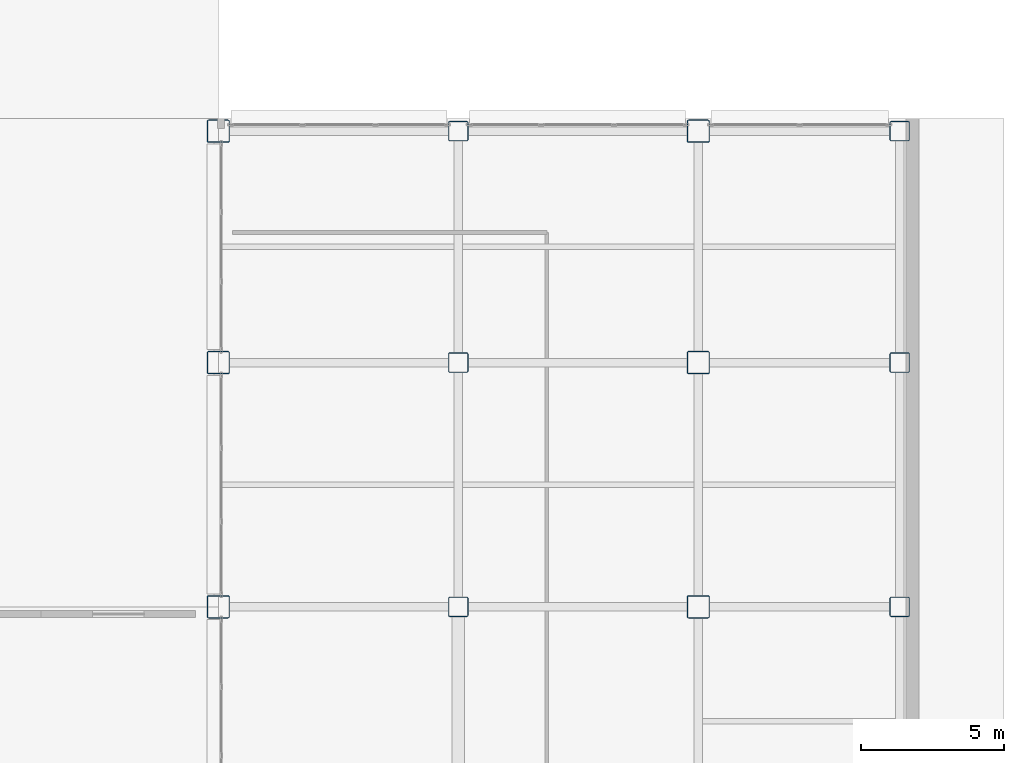
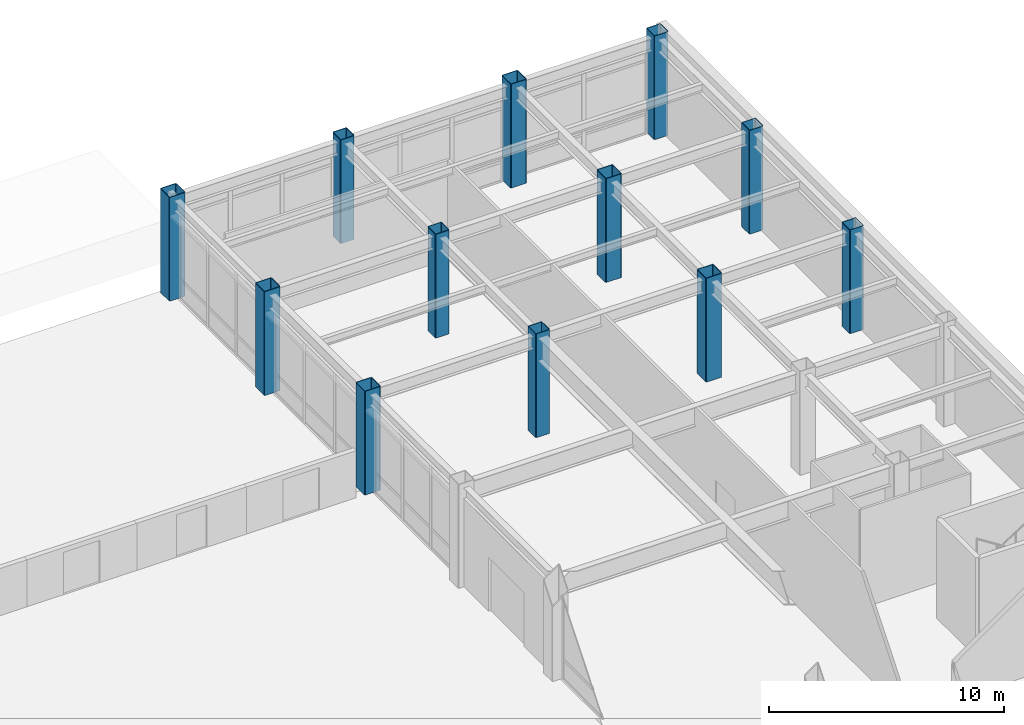
# One storey, part 7 of 165: 12 columns.
"""IFC4 building model written with IfcOpenShell, lengths in metres."""

from ifc_helpers import new_model, si_unit, direction, frame, origin, origin_2d, place, context, subcontext, project, spatial, hollow_rectangle, extrude, material, material_profile, profile_set, type_object, element, save


model = new_model("IFC4")

# Units and contexts
model_context = context("Model", 3, precision=1e-05, world=origin(), true_north=direction((0.0, 1.0)))
body_context = subcontext(model_context, "Body", "Model", "MODEL_VIEW")
ifc_project = project(units=[si_unit("LENGTHUNIT", "METRE"), si_unit("AREAUNIT", "SQUARE_METRE"), si_unit("VOLUMEUNIT", "CUBIC_METRE"), si_unit("PLANEANGLEUNIT", "RADIAN"), si_unit("MASSUNIT", "GRAM", prefix="KILO")], contexts=[model_context])

# Site, building, storey
site_placement = place(None, origin())
site = spatial("IfcSite", under=ifc_project, at=site_placement, CompositionType="ELEMENT")
building_placement = place(site_placement, origin())
building = spatial("IfcBuilding", under=site, at=building_placement, Name="Kazehara Bluff Congress Hotel", CompositionType="ELEMENT")
storey_placement = place(building_placement, origin())
storey = spatial("IfcBuildingStorey", under=building, at=storey_placement, Name="L00", CompositionType="ELEMENT", Elevation=0.0)

# Columns
ifc_material_1 = material(Name="Steel BCR295", Category="steel")
ifc_material_profile_1 = material_profile(ifc_material_1, hollow_rectangle(XDim=0.800048828125, YDim=0.800048828125, WallThickness=0.031982421875, InnerFilletRadius=0.031982421875, OuterFilletRadius=0.06396484375, at=origin_2d()))
ifc_profile_set_1 = profile_set([ifc_material_profile_1], Name="Steel BCR295")
column_type_1 = type_object("IfcColumnType", Name="TP-C-02", PredefinedType="COLUMN", material=ifc_profile_set_1)
for number, where, z_axis, x_axis, name in (
    (1, (143.699951171875, 96.89990234375, 0.0), (0.0, 0.0, 1.0), (1.0, 0.0, 0.0), "L00 column C-02 (143.70,96.90)"),
    (2, (143.699951171875, 105.449951171875, 0.0), (0.0, 0.0, 1.0), (1.0, 0.0, 0.0), "L00 column C-02 (143.70,105.45)"),
    (3, (143.699951171875, 113.550048828125, 0.0), (0.0, 0.0, 1.0), (1.0, 0.0, 0.0), "L00 column C-02 (143.70,113.55)"),
    (4, (160.5, 96.89990234375, 0.0), (0.0, 0.0, 1.0), (1.0, 0.0, 0.0), "L00 column C-02 (160.50,96.90)"),
    (5, (160.5, 105.449951171875, 0.0), (0.0, 0.0, 1.0), (1.0, 0.0, 0.0), "L00 column C-02 (160.50,105.45)"),
    (6, (160.5, 113.550048828125, 0.0), (0.0, 0.0, 1.0), (1.0, 0.0, 0.0), "L00 column C-02 (160.50,113.55)"),
):
    element("IfcColumn", number, at=place(storey_placement, frame(where, z_axis=z_axis, x_axis=x_axis)), inside=storey, type_object=column_type_1, Name=name, PredefinedType="COLUMN", context=body_context, shape_type="SweptSolid", body=[
        extrude(hollow_rectangle(XDim=0.800048828125, YDim=0.800048828125, WallThickness=0.031982421875, InnerFilletRadius=0.031982421875, OuterFilletRadius=0.06396484375, at=origin_2d()), origin(), (0.0, 0.0, 1.0), 5.39990234375),
    ])
ifc_material_2 = material(Name="Steel BCR295", Category="steel")
ifc_material_profile_2 = material_profile(ifc_material_2, hollow_rectangle(XDim=0.699951171875, YDim=0.699951171875, WallThickness=0.028076171875, InnerFilletRadius=0.028076171875, OuterFilletRadius=0.055908203125, at=origin_2d()))
ifc_profile_set_2 = profile_set([ifc_material_profile_2], Name="Steel BCR295")
column_type_2 = type_object("IfcColumnType", Name="TP-C-03", PredefinedType="COLUMN", material=ifc_profile_set_2)
for number, where, z_axis, x_axis, name in (
    (7, (152.10009765625, 96.89990234375, 0.0), (0.0, 0.0, 1.0), (1.0, 0.0, 0.0), "L00 column C-03 (152.10,96.90)"),
    (8, (152.10009765625, 105.449951171875, 0.0), (0.0, 0.0, 1.0), (1.0, 0.0, 0.0), "L00 column C-03 (152.10,105.45)"),
    (9, (152.10009765625, 113.550048828125, 0.0), (0.0, 0.0, 1.0), (1.0, 0.0, 0.0), "L00 column C-03 (152.10,113.55)"),
    (10, (167.550048828125, 96.89990234375, 0.0), (0.0, 0.0, 1.0), (1.0, 0.0, 0.0), "L00 column C-03 (167.55,96.90)"),
    (11, (167.550048828125, 105.449951171875, 0.0), (0.0, 0.0, 1.0), (1.0, 0.0, 0.0), "L00 column C-03 (167.55,105.45)"),
    (12, (167.550048828125, 113.550048828125, 0.0), (0.0, 0.0, 1.0), (1.0, 0.0, 0.0), "L00 column C-03 (167.55,113.55)"),
):
    element("IfcColumn", number, at=place(storey_placement, frame(where, z_axis=z_axis, x_axis=x_axis)), inside=storey, type_object=column_type_2, Name=name, PredefinedType="COLUMN", context=body_context, shape_type="SweptSolid", body=[
        extrude(hollow_rectangle(XDim=0.699951171875, YDim=0.699951171875, WallThickness=0.028076171875, InnerFilletRadius=0.028076171875, OuterFilletRadius=0.055908203125, at=origin_2d()), origin(), (0.0, 0.0, 1.0), 5.39990234375),
    ])

save(model, "model.ifc")
